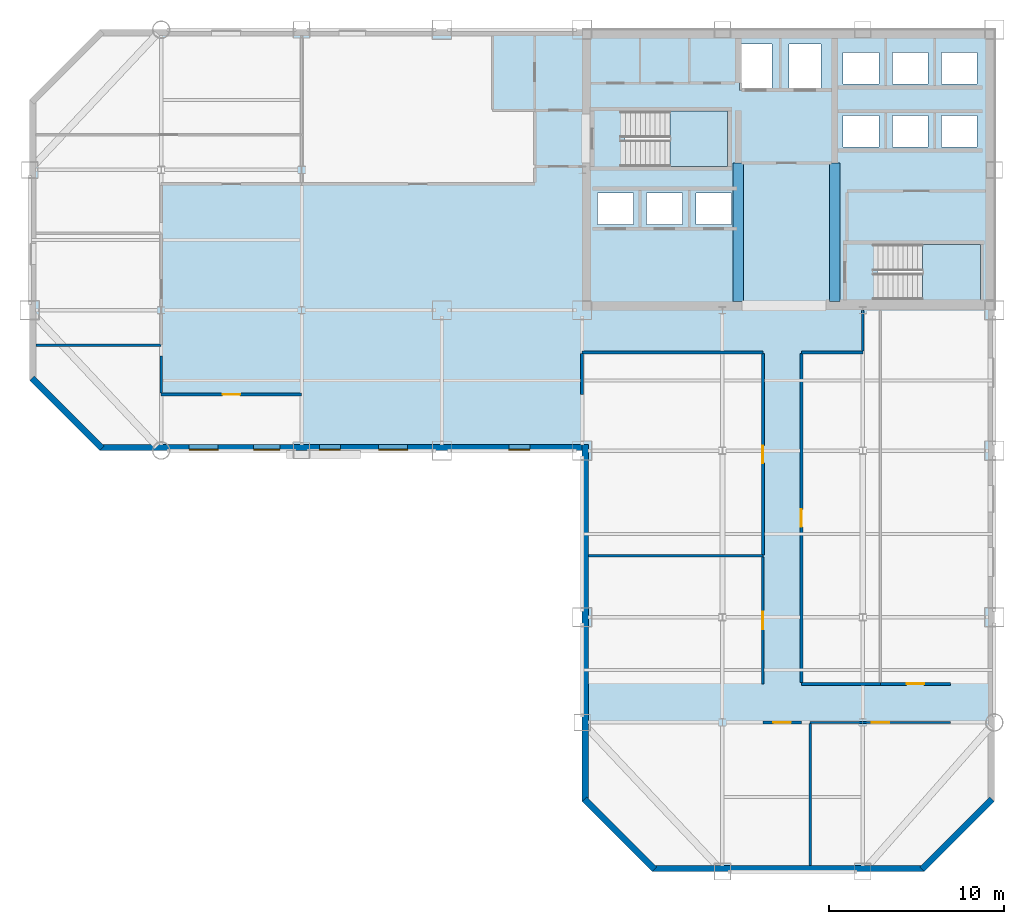
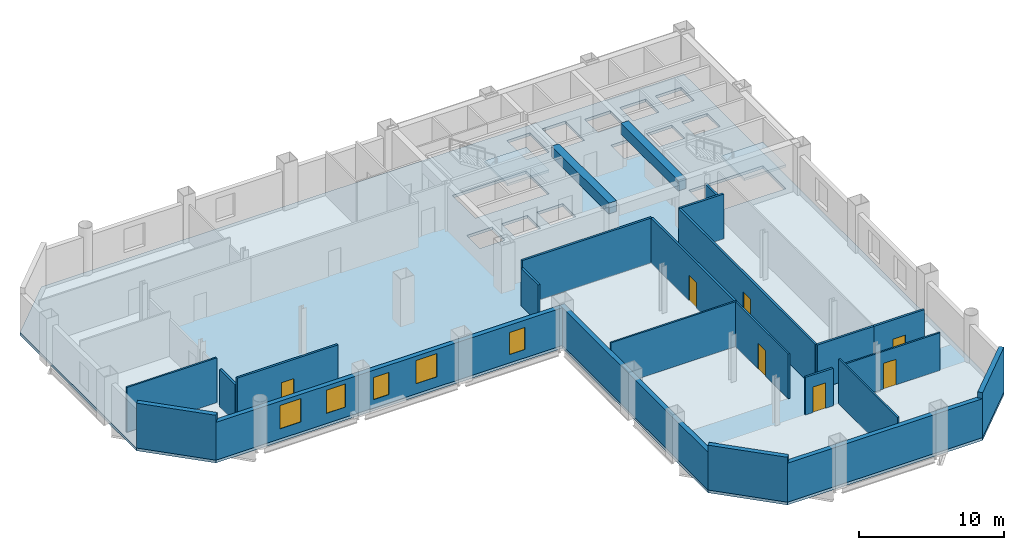
# One storey, part 5 of 9: 22 walls, 7 doors, 5 windows, 3 slabs, 2 beams, 12 openings, 2 elements without a shape of their own.
"""IFC4 building model written with IfcOpenShell, lengths in metres."""

from ifc_helpers import new_model, si_unit, direction, frame, frame_2d, origin, origin_2d, place, context, subcontext, project, spatial, polyline, rectangle, outline, extrude, material, layer, layer_set, material_profile, profile_set, type_object, element, fill, aggregate, save


model = new_model("IFC4")

# Units and contexts
model_context = context("Model", 3, precision=1e-05, world=origin(), true_north=direction((0.0, 1.0)))
body_context = subcontext(model_context, "Body", "Model", "MODEL_VIEW")
ifc_project = project(units=[si_unit("LENGTHUNIT", "METRE"), si_unit("AREAUNIT", "SQUARE_METRE"), si_unit("VOLUMEUNIT", "CUBIC_METRE"), si_unit("PLANEANGLEUNIT", "RADIAN"), si_unit("MASSUNIT", "GRAM", prefix="KILO")], contexts=[model_context])

# Site, building, storey
site_placement = place(None, origin())
site = spatial("IfcSite", under=ifc_project, at=site_placement, CompositionType="ELEMENT")
building_placement = place(site_placement, origin())
building = spatial("IfcBuilding", under=site, at=building_placement, Name="Qianrong Seaharbour Tower", CompositionType="ELEMENT")
storey_placement = place(building_placement, frame((0.0, 0.0, 155.0)))
storey = spatial("IfcBuildingStorey", under=building, at=storey_placement, Name="L37", CompositionType="ELEMENT", Elevation=155.0)

# Beams
ifc_material_1 = material(Name="Concrete C70/85", Category="concrete")
ifc_material_profile = material_profile(ifc_material_1, rectangle(XDim=0.60009765625, YDim=0.89990234375, at=origin_2d()), Name="RC600x900")
ifc_profile_set = profile_set([ifc_material_profile], Name="Concrete C70/85")
beam_type = type_object("IfcBeamType", Name="BM-LINTEL-900", PredefinedType="LINTEL", material=ifc_profile_set)
for number, where, z_axis, x_axis, name in (
    (1, (49.39990234375, 36.5, 3.31494140625), (0.0, 1.0, 0.0), (-1.0, 0.0, 0.0), "L37 Internal Core Coupling Beam IW1"),
    (2, (54.89990234375, 36.5, 3.31494140625), (0.0, 1.0, 0.0), (-1.0, 0.0, 0.0), "L37 Internal Core Coupling Beam IW2"),
):
    element("IfcBeam", number, at=place(storey_placement, frame(where, z_axis=z_axis, x_axis=x_axis)), inside=storey, type_object=beam_type, Name=name, PredefinedType="LINTEL", context=body_context, shape_type="SweptSolid", body=[
        extrude(rectangle(XDim=0.60009765625, YDim=0.89990234375, at=origin_2d()), origin(), (0.0, 0.0, 1.0), 7.89990234375),
    ])

# Stair, slab
ifc_material_2 = material(Name="Concrete C50/60", Category="concrete")
stair_type = type_object("IfcStairType", Name="STAIR-DOGLEG-1500-R22", PredefinedType="HALF_TURN_STAIR", material=ifc_material_2)
stair_1_placement = place(storey_placement, origin())
stair_1 = element("IfcStair", 3, at=stair_1_placement, inside=storey, type_object=stair_type, Name="L37 Protected Escape Stair ST-1", PredefinedType="HALF_TURN_STAIR")
ifc_layer_1 = layer(ifc_material_2, 0.199951171875)
ifc_layer_set_1 = layer_set([ifc_layer_1], Name="Concrete C50/60")
slab_type_1 = type_object("IfcSlabType", Name="SLAB-STAIR-LANDING-200", PredefinedType="LANDING", material=ifc_layer_set_1)
slab_1_placement = place(storey_placement, frame((0.0, 0.0, 1.800048828125)))
slab_1 = element("IfcSlab", 4, at=slab_1_placement, type_object=slab_type_1, Name="ST-1 landing 1", PredefinedType="LANDING", context=body_context, shape_type="SweptSolid", body=[
    extrude(outline(polyline([(45.5, 44.199951171875), (48.800048828125, 44.199951171875), (48.800048828125, 47.35009765625), (45.5, 47.35009765625), (45.5, 44.199951171875)])), origin(), (0.0, 0.0, 1.0), 0.199951171875),
])
aggregate(stair_1, [slab_1])

stair_2_placement = place(storey_placement, origin())
stair_2 = element("IfcStair", 5, at=stair_2_placement, inside=storey, type_object=stair_type, Name="L37 Protected Escape Stair ST-2", PredefinedType="HALF_TURN_STAIR")
slab_2_placement = place(storey_placement, frame((0.0, 0.0, 1.800048828125)))
slab_2 = element("IfcSlab", 6, at=slab_2_placement, type_object=slab_type_1, Name="ST-2 landing 1", PredefinedType="LANDING", context=body_context, shape_type="SweptSolid", body=[
    extrude(outline(polyline([(59.89990234375, 36.60009765625), (63.199951171875, 36.60009765625), (63.199951171875, 39.75), (59.89990234375, 39.75), (59.89990234375, 36.60009765625)])), origin(), (0.0, 0.0, 1.0), 0.199951171875),
])
aggregate(stair_2, [slab_2])

# Slab
ifc_layer_2 = layer(ifc_material_2, 0.235107421875)
ifc_layer_set_2 = layer_set([ifc_layer_2], Name="Concrete C50/60")
slab_type_2 = type_object("IfcSlabType", Name="SLAB-Z2-235", PredefinedType="FLOOR", material=ifc_layer_set_2)
slab_3_placement = place(storey_placement, frame((0.0, 0.0, -0.235107421875)))
element("IfcSlab", 7, at=slab_3_placement, inside=storey, type_object=slab_type_2, Name="L37 Structural Floor Slab", PredefinedType="FLOOR", context=body_context, shape_type="SweptSolid", body=[
    extrude(outline(polyline([(44.5, 4.0), (60.0, 4.0), (64.0, 8.0), (64.0, 52.0), (13.0, 52.0), (9.0, 48.0), (9.0, 32.0), (13.0, 28.0), (40.5, 28.0), (40.5, 8.0), (44.5, 4.0)]), holes=[polyline([(42.93994140625, 44.199951171875), (42.93994140625, 47.35009765625), (48.800048828125, 47.35009765625), (48.800048828125, 44.199951171875), (42.93994140625, 44.199951171875)]), polyline([(57.340087890625, 36.60009765625), (57.340087890625, 39.75), (63.199951171875, 39.75), (63.199951171875, 36.60009765625), (57.340087890625, 36.60009765625)]), polyline([(49.47998046875, 48.530029296875), (49.47998046875, 51.169921875), (51.320068359375, 51.169921875), (51.320068359375, 48.530029296875), (49.47998046875, 48.530029296875)]), polyline([(52.280029296875, 48.530029296875), (52.280029296875, 51.169921875), (54.1201171875, 51.169921875), (54.1201171875, 48.530029296875), (52.280029296875, 48.530029296875)]), polyline([(41.3798828125, 40.89990234375), (41.3798828125, 42.699951171875), (43.419921875, 42.699951171875), (43.419921875, 40.89990234375), (41.3798828125, 40.89990234375)]), polyline([(44.179931640625, 40.89990234375), (44.179931640625, 42.699951171875), (46.219970703125, 42.699951171875), (46.219970703125, 40.89990234375), (44.179931640625, 40.89990234375)]), polyline([(46.97998046875, 40.89990234375), (46.97998046875, 42.699951171875), (49.02001953125, 42.699951171875), (49.02001953125, 40.89990234375), (46.97998046875, 40.89990234375)]), polyline([(55.3798828125, 45.300048828125), (55.3798828125, 47.10009765625), (57.419921875, 47.10009765625), (57.419921875, 45.300048828125), (55.3798828125, 45.300048828125)]), polyline([(58.179931640625, 45.300048828125), (58.179931640625, 47.10009765625), (60.219970703125, 47.10009765625), (60.219970703125, 45.300048828125), (58.179931640625, 45.300048828125)]), polyline([(60.97998046875, 45.300048828125), (60.97998046875, 47.10009765625), (63.02001953125, 47.10009765625), (63.02001953125, 45.300048828125), (60.97998046875, 45.300048828125)]), polyline([(55.3798828125, 48.89990234375), (55.3798828125, 50.699951171875), (57.419921875, 50.699951171875), (57.419921875, 48.89990234375), (55.3798828125, 48.89990234375)]), polyline([(58.179931640625, 48.89990234375), (58.179931640625, 50.699951171875), (60.219970703125, 50.699951171875), (60.219970703125, 48.89990234375), (58.179931640625, 48.89990234375)]), polyline([(60.97998046875, 48.89990234375), (60.97998046875, 50.699951171875), (63.02001953125, 50.699951171875), (63.02001953125, 48.89990234375), (60.97998046875, 48.89990234375)])]), origin(), (0.0, 0.0, 1.0), 0.235107421875),
])

# Wall, opening, door
ifc_material_3 = material(Name="Fire-rated acoustic gypsum board partition")
ifc_layer_3 = layer(ifc_material_3, 0.1650390625)
ifc_layer_set_3 = layer_set([ifc_layer_3], Name="Fire-rated acoustic gypsum board partition")
wall_type_1 = type_object("IfcWallType", Name="WALL-CORR-PART-165", PredefinedType="PARTITIONING", material=ifc_layer_set_3)
wall_1_placement = place(storey_placement, frame((24.5, 31.199951171875, 0.0), z_axis=(0.0, 0.0, 1.0), x_axis=(-1.0, 0.0, 0.0)))
wall_1 = element("IfcWall", 8, at=wall_1_placement, inside=storey, type_object=wall_type_1, Name="L37 Interior Partition Wall 015", PredefinedType="PARTITIONING", context=body_context, shape_type="SweptSolid", body=[
    extrude(rectangle(XDim=8.0, YDim=0.1650390625, at=frame_2d((4.0, 0.0))), origin(), (0.0, 0.0, 1.0), 3.764892578125),
])
opening_1_placement = place(wall_1_placement, frame((3.5, 0.0, 0.0)))
opening_1 = element("IfcOpeningElement", 9, at=opening_1_placement, cuts=wall_1, Name="Opening DO-01", PredefinedType="OPENING", context=body_context, shape_type="SweptSolid", body=[
    extrude(rectangle(XDim=1.0, YDim=2.14990234375, at=frame_2d((0.5, 1.074951171875))), frame((0.0, 0.092529296875, 0.0), z_axis=(0.0, -1.0, 0.0), x_axis=(1.0, 0.0, 0.0)), (0.0, 0.0, 1.0), 0.18505859375),
])
ifc_material_4 = material(Name="Acoustic timber and galvanized steel fire door assembly", Category="steel")
door_type = type_object("IfcDoorType", Name="DOOR-OFFICE-1000x2150", OperationType="NOTDEFINED", PredefinedType="DOOR", material=ifc_material_4)
door_1_placement = place(opening_1_placement, origin())
door_1 = element("IfcDoor", 10, at=door_1_placement, inside=storey, type_object=door_type, Name="L37 Harbour Sunset Lounge 1 Door", OperationType="SINGLE_SWING_LEFT", OverallHeight=2.14990234375, OverallWidth=1.0, PredefinedType="DOOR", context=body_context, shape_type="SweptSolid", body=[
    extrude(rectangle(XDim=1.0, YDim=2.14990234375, at=frame_2d((0.5, 1.074951171875))), frame((0.0, 0.02490234375, 0.0), z_axis=(0.0, -1.0, 0.0), x_axis=(1.0, 0.0, 0.0)), (0.0, 0.0, 1.0), 0.050048828125),
])
fill(opening_1, door_1)

# Walls
wall_2_placement = place(storey_placement, frame((16.5, 31.2744140625, 0.0), z_axis=(0.0, 0.0, 1.0), x_axis=(0.0, 1.0, 0.0)))
element("IfcWall", 11, at=wall_2_placement, inside=storey, type_object=wall_type_1, Name="L37 Interior Partition Wall 016", PredefinedType="PARTITIONING", context=body_context, shape_type="SweptSolid", body=[
    extrude(rectangle(XDim=2.12548828125, YDim=0.1650390625, at=frame_2d((1.062744140625, 0.0))), origin(), (0.0, 0.0, 1.0), 3.156982421875),
])
for number, where, z_axis, x_axis, name in (
    (12, (40.5, 33.525390625, 0.0), (0.0, 0.0, 1.0), (0.0, -1.0, 0.0), "L37 Interior Partition Wall 022"),
    (13, (56.5, 36.0, 0.0), (0.0, 0.0, 1.0), (0.0, -1.0, 0.0), "L37 Interior Partition Wall 023"),
):
    element("IfcWall", number, at=place(storey_placement, frame(where, z_axis=z_axis, x_axis=x_axis)), inside=storey, type_object=wall_type_1, Name=name, PredefinedType="PARTITIONING", context=body_context, shape_type="SweptSolid", body=[
        extrude(rectangle(XDim=2.325439453125, YDim=0.1650390625, at=frame_2d((1.16259765625, 0.0))), origin(), (0.0, 0.0, 1.0), 3.156982421875),
    ])
wall_3_placement = place(storey_placement, frame((56.5, 33.60009765625, 0.0), z_axis=(0.0, 0.0, 1.0), x_axis=(-1.0, 0.0, 0.0)))
element("IfcWall", 14, at=wall_3_placement, inside=storey, type_object=wall_type_1, Name="L37 Interior Partition Wall 024", PredefinedType="PARTITIONING", context=body_context, shape_type="SweptSolid", body=[
    extrude(rectangle(XDim=3.5, YDim=0.1650390625, at=frame_2d((1.75, 0.0))), origin(), (0.0, 0.0, 1.0), 3.764892578125),
])
wall_4_placement = place(storey_placement, frame((50.800048828125, 33.60009765625, 0.0), z_axis=(0.0, 0.0, 1.0), x_axis=(-1.0, 0.0, 0.0)))
element("IfcWall", 15, at=wall_4_placement, inside=storey, type_object=wall_type_1, Name="L37 Interior Partition Wall 025", PredefinedType="PARTITIONING", context=body_context, shape_type="SweptSolid", body=[
    extrude(rectangle(XDim=10.300048828125, YDim=0.1650390625, at=frame_2d((5.14990234375, 0.0))), origin(), (0.0, 0.0, 1.0), 3.764892578125),
])

# Wall, opening, door
wall_5_placement = place(storey_placement, frame((53.0, 33.525390625, 0.0), z_axis=(0.0, 0.0, 1.0), x_axis=(0.0, -1.0, 0.0)))
wall_5 = element("IfcWall", 16, at=wall_5_placement, inside=storey, type_object=wall_type_1, Name="L37 Interior Partition Wall 026", PredefinedType="PARTITIONING", context=body_context, shape_type="SweptSolid", body=[
    extrude(rectangle(XDim=18.7509765625, YDim=0.1650390625, at=frame_2d((9.37548828125, 0.0))), origin(), (0.0, 0.0, 1.0), 3.764892578125),
])
opening_2_placement = place(wall_5_placement, frame((8.87548828125, 0.0, 0.0)))
opening_2 = element("IfcOpeningElement", 17, at=opening_2_placement, cuts=wall_5, Name="Opening DO-01", PredefinedType="OPENING", context=body_context, shape_type="SweptSolid", body=[
    extrude(rectangle(XDim=1.0, YDim=2.14990234375, at=frame_2d((0.5, 1.074951171875))), frame((0.0, 0.092529296875, 0.0), z_axis=(0.0, -1.0, 0.0), x_axis=(1.0, 0.0, 0.0)), (0.0, 0.0, 1.0), 0.18505859375),
])
door_2_placement = place(opening_2_placement, origin())
door_2 = element("IfcDoor", 18, at=door_2_placement, inside=storey, type_object=door_type, Name="L37 East Harbour Dining Salon 1 Door", OperationType="SINGLE_SWING_LEFT", OverallHeight=2.14990234375, OverallWidth=1.0, PredefinedType="DOOR", context=body_context, shape_type="SweptSolid", body=[
    extrude(rectangle(XDim=1.0, YDim=2.14990234375, at=frame_2d((0.5, 1.074951171875))), frame((0.0, 0.02490234375, 0.0), z_axis=(0.0, -1.0, 0.0), x_axis=(1.0, 0.0, 0.0)), (0.0, 0.0, 1.0), 0.050048828125),
])
fill(opening_2, door_2)

wall_6_placement = place(storey_placement, frame((50.800048828125, 22.056884765625, 0.0), z_axis=(0.0, 0.0, 1.0), x_axis=(0.0, 1.0, 0.0)))
wall_6 = element("IfcWall", 19, at=wall_6_placement, inside=storey, type_object=wall_type_1, Name="L37 Interior Partition Wall 028", PredefinedType="PARTITIONING", context=body_context, shape_type="SweptSolid", body=[
    extrude(rectangle(XDim=11.468505859375, YDim=0.1650390625, at=frame_2d((5.734375, 0.0))), origin(), (0.0, 0.0, 1.0), 3.764892578125),
])
opening_3_placement = place(wall_6_placement, frame((5.234375, 0.0, 0.0)))
opening_3 = element("IfcOpeningElement", 20, at=opening_3_placement, cuts=wall_6, Name="Opening DO-01", PredefinedType="OPENING", context=body_context, shape_type="SweptSolid", body=[
    extrude(rectangle(XDim=1.0, YDim=2.14990234375, at=frame_2d((0.5, 1.074951171875))), frame((0.0, 0.092529296875, 0.0), z_axis=(0.0, -1.0, 0.0), x_axis=(1.0, 0.0, 0.0)), (0.0, 0.0, 1.0), 0.18505859375),
])
door_3_placement = place(opening_3_placement, origin())
door_3 = element("IfcDoor", 21, at=door_3_placement, inside=storey, type_object=door_type, Name="L37 Concierge Office 2 Door", OperationType="SINGLE_SWING_RIGHT", OverallHeight=2.14990234375, OverallWidth=1.0, PredefinedType="DOOR", context=body_context, shape_type="SweptSolid", body=[
    extrude(rectangle(XDim=1.0, YDim=2.14990234375, at=frame_2d((0.5, 1.074951171875))), frame((0.0, 0.02490234375, 0.0), z_axis=(0.0, -1.0, 0.0), x_axis=(1.0, 0.0, 0.0)), (0.0, 0.0, 1.0), 0.050048828125),
])
fill(opening_3, door_3)

wall_7_placement = place(storey_placement, frame((53.0, 12.5, 0.0), z_axis=(0.0, 0.0, 1.0), x_axis=(-1.0, 0.0, 0.0)))
wall_7 = element("IfcWall", 22, at=wall_7_placement, inside=storey, type_object=wall_type_1, Name="L37 Interior Partition Wall 029", PredefinedType="PARTITIONING", context=body_context, shape_type="SweptSolid", body=[
    extrude(rectangle(XDim=2.199951171875, YDim=0.1650390625, at=frame_2d((1.10009765625, 0.0))), origin(), (0.0, 0.0, 1.0), 3.156982421875),
])
opening_4_placement = place(wall_7_placement, frame((0.60009765625, 0.0, 0.0)))
opening_4 = element("IfcOpeningElement", 23, at=opening_4_placement, cuts=wall_7, Name="Opening DO-01", PredefinedType="OPENING", context=body_context, shape_type="SweptSolid", body=[
    extrude(rectangle(XDim=1.0, YDim=2.14990234375, at=frame_2d((0.5, 1.074951171875))), frame((0.0, 0.092529296875, 0.0), z_axis=(0.0, -1.0, 0.0), x_axis=(1.0, 0.0, 0.0)), (0.0, 0.0, 1.0), 0.18505859375),
])
door_4_placement = place(opening_4_placement, origin())
door_4 = element("IfcDoor", 24, at=door_4_placement, inside=storey, type_object=door_type, Name="L37 South View Lounge 1 Door", OperationType="SINGLE_SWING_LEFT", OverallHeight=2.14990234375, OverallWidth=1.0, PredefinedType="DOOR", context=body_context, shape_type="SweptSolid", body=[
    extrude(rectangle(XDim=1.0, YDim=2.14990234375, at=frame_2d((0.5, 1.074951171875))), frame((0.0, 0.02490234375, 0.0), z_axis=(0.0, -1.0, 0.0), x_axis=(1.0, 0.0, 0.0)), (0.0, 0.0, 1.0), 0.050048828125),
])
fill(opening_4, door_4)

# Wall
wall_8_placement = place(storey_placement, frame((53.0, 14.699951171875, 0.0), z_axis=(0.0, 0.0, 1.0), x_axis=(1.0, 0.0, 0.0)))
element("IfcWall", 25, at=wall_8_placement, inside=storey, type_object=wall_type_1, Name="L37 Interior Partition Wall 030", PredefinedType="PARTITIONING", context=body_context, shape_type="SweptSolid", body=[
    extrude(rectangle(XDim=4.5, YDim=0.1650390625, at=frame_2d((2.25, 0.0))), origin(), (0.0, 0.0, 1.0), 3.764892578125),
])

# Wall, opening, door
wall_9_placement = place(storey_placement, frame((57.5, 14.699951171875, 0.0), z_axis=(0.0, 0.0, 1.0), x_axis=(1.0, 0.0, 0.0)))
wall_9 = element("IfcWall", 26, at=wall_9_placement, inside=storey, type_object=wall_type_1, Name="L37 Interior Partition Wall 031", PredefinedType="PARTITIONING", context=body_context, shape_type="SweptSolid", body=[
    extrude(rectangle(XDim=4.0, YDim=0.1650390625, at=frame_2d((2.0, 0.0))), origin(), (0.0, 0.0, 1.0), 3.764892578125),
])
opening_5_placement = place(wall_9_placement, frame((1.5, 0.0, 0.0)))
opening_5 = element("IfcOpeningElement", 27, at=opening_5_placement, cuts=wall_9, Name="Opening DO-01", PredefinedType="OPENING", context=body_context, shape_type="SweptSolid", body=[
    extrude(rectangle(XDim=1.0, YDim=2.14990234375, at=frame_2d((0.5, 1.074951171875))), frame((0.0, 0.092529296875, 0.0), z_axis=(0.0, -1.0, 0.0), x_axis=(1.0, 0.0, 0.0)), (0.0, 0.0, 1.0), 0.18505859375),
])
door_5_placement = place(opening_5_placement, origin())
door_5 = element("IfcDoor", 28, at=door_5_placement, inside=storey, type_object=door_type, Name="L37 Catering Servery Kitchen 2 Door", OperationType="SINGLE_SWING_RIGHT", OverallHeight=2.14990234375, OverallWidth=1.0, PredefinedType="DOOR", context=body_context, shape_type="SweptSolid", body=[
    extrude(rectangle(XDim=1.0, YDim=2.14990234375, at=frame_2d((0.5, 1.074951171875))), frame((0.0, 0.02490234375, 0.0), z_axis=(0.0, -1.0, 0.0), x_axis=(1.0, 0.0, 0.0)), (0.0, 0.0, 1.0), 0.050048828125),
])
fill(opening_5, door_5)

# Wall
ifc_material_5 = material(Name="Unitised red brick on Precast concrete C45/55", Category="masonry")
ifc_layer_4 = layer(ifc_material_5, 0.360107421875)
ifc_layer_set_4 = layer_set([ifc_layer_4], Name="Unitised red brick on Precast concrete C45/55")
wall_type_2 = type_object("IfcWallType", Name="WALL-EXT-BRICK-RED-360", PredefinedType="SOLIDWALL", material=ifc_layer_set_4)
wall_10_placement = place(storey_placement, frame((40.679931640625, 8.0, 0.0), z_axis=(0.0, 0.0, 1.0), x_axis=(0.0, 1.0, 0.0)))
element("IfcWall", 29, at=wall_10_placement, inside=storey, type_object=wall_type_2, Name="L37 Exterior Masonry Facade Wall REENTRANT_WEST", PredefinedType="SOLIDWALL", context=body_context, shape_type="SweptSolid", body=[
    extrude(rectangle(XDim=20.360107421875, YDim=0.360107421875, at=frame_2d((10.18017578125, 0.0))), origin(), (0.0, 0.0, 1.0), 3.1650390625),
])

# Wall, openings, windows
wall_11_placement = place(storey_placement, frame((40.52001953125, 28.179931640625, 0.0), z_axis=(0.0, 0.0, 1.0), x_axis=(-1.0, 0.0, 0.0)))
wall_11 = element("IfcWall", 30, at=wall_11_placement, inside=storey, type_object=wall_type_2, Name="L37 Exterior Masonry Facade Wall HARBOUR_RIBBON", PredefinedType="SOLIDWALL", context=body_context, shape_type="SweptSolid", body=[
    extrude(rectangle(XDim=27.52001953125, YDim=0.360107421875, at=frame_2d((13.760009765625, 0.0))), origin(), (0.0, 0.0, 1.0), 3.1650390625),
])
opening_6_placement = place(wall_11_placement, frame((3.0, 0.0, 0.699951171875)))
opening_6 = element("IfcOpeningElement", 31, at=opening_6_placement, cuts=wall_11, Name="Opening WN-01", PredefinedType="OPENING", context=body_context, shape_type="SweptSolid", body=[
    extrude(rectangle(XDim=1.199951171875, YDim=1.85009765625, at=frame_2d((0.60009765625, 0.925048828125))), frame((0.0, 0.18994140625, 0.0), z_axis=(0.0, -1.0, 0.0), x_axis=(1.0, 0.0, 0.0)), (0.0, 0.0, 1.0), 0.380126953125),
])
opening_7_placement = place(wall_11_placement, frame((9.97509765625, 0.0, 0.85009765625)))
opening_7 = element("IfcOpeningElement", 32, at=opening_7_placement, cuts=wall_11, Name="Opening WN-04", PredefinedType="OPENING", context=body_context, shape_type="SweptSolid", body=[
    extrude(rectangle(XDim=1.64990234375, YDim=1.949951171875, at=frame_2d((0.824951171875, 0.97509765625))), frame((0.0, 0.18994140625, 0.0), z_axis=(0.0, -1.0, 0.0), x_axis=(1.0, 0.0, 0.0)), (0.0, 0.0, 1.0), 0.380126953125),
])
opening_8_placement = place(wall_11_placement, frame((13.800048828125, 0.0, 0.699951171875)))
opening_8 = element("IfcOpeningElement", 33, at=opening_8_placement, cuts=wall_11, Name="Opening WN-01", PredefinedType="OPENING", context=body_context, shape_type="SweptSolid", body=[
    extrude(rectangle(XDim=1.199951171875, YDim=1.85009765625, at=frame_2d((0.60009765625, 0.925048828125))), frame((0.0, 0.18994140625, 0.0), z_axis=(0.0, -1.0, 0.0), x_axis=(1.0, 0.0, 0.0)), (0.0, 0.0, 1.0), 0.380126953125),
])
opening_9_placement = place(wall_11_placement, frame((17.25, 0.0, 0.85009765625)))
opening_9 = element("IfcOpeningElement", 34, at=opening_9_placement, cuts=wall_11, Name="Opening WN-03", PredefinedType="OPENING", context=body_context, shape_type="SweptSolid", body=[
    extrude(rectangle(XDim=1.5, YDim=1.949951171875, at=frame_2d((0.75, 0.97509765625))), frame((0.0, 0.18994140625, 0.0), z_axis=(0.0, -1.0, 0.0), x_axis=(1.0, 0.0, 0.0)), (0.0, 0.0, 1.0), 0.380126953125),
])
opening_10_placement = place(wall_11_placement, frame((20.77490234375, 0.0, 0.85009765625)))
opening_10 = element("IfcOpeningElement", 35, at=opening_10_placement, cuts=wall_11, Name="Opening WN-04", PredefinedType="OPENING", context=body_context, shape_type="SweptSolid", body=[
    extrude(rectangle(XDim=1.64990234375, YDim=1.949951171875, at=frame_2d((0.824951171875, 0.97509765625))), frame((0.0, 0.18994140625, 0.0), z_axis=(0.0, -1.0, 0.0), x_axis=(1.0, 0.0, 0.0)), (0.0, 0.0, 1.0), 0.380126953125),
])
ifc_material_6 = material(Name="Insulated low-e double glazing in thermally broken aluminium 6063-T6 frame", Category="aluminium")
window_type_1 = type_object("IfcWindowType", Name="WIN-PUNCH-1200x1850", PartitioningType="DOUBLE_PANEL_VERTICAL", PredefinedType="WINDOW", material=ifc_material_6)
window_1_placement = place(opening_6_placement, origin())
window_1 = element("IfcWindow", 36, at=window_1_placement, inside=storey, type_object=window_type_1, Name="L37 Deep-Set Punched Window 01.01", OverallHeight=1.85009765625, OverallWidth=1.199951171875, PartitioningType="DOUBLE_PANEL_VERTICAL", PredefinedType="WINDOW", context=body_context, shape_type="SweptSolid", body=[
    extrude(rectangle(XDim=1.199951171875, YDim=1.85009765625, at=frame_2d((0.60009765625, 0.925048828125))), frame((0.0, 0.150146484375, 0.0), z_axis=(0.0, -1.0, 0.0), x_axis=(1.0, 0.0, 0.0)), (0.0, 0.0, 1.0), 0.06005859375),
])
fill(opening_6, window_1)
window_2_placement = place(opening_8_placement, origin())
window_2 = element("IfcWindow", 37, at=window_2_placement, inside=storey, type_object=window_type_1, Name="L37 Deep-Set Punched Window 01.04", OverallHeight=1.85009765625, OverallWidth=1.199951171875, PartitioningType="DOUBLE_PANEL_VERTICAL", PredefinedType="WINDOW", context=body_context, shape_type="SweptSolid", body=[
    extrude(rectangle(XDim=1.199951171875, YDim=1.85009765625, at=frame_2d((0.60009765625, 0.925048828125))), frame((0.0, 0.150146484375, 0.0), z_axis=(0.0, -1.0, 0.0), x_axis=(1.0, 0.0, 0.0)), (0.0, 0.0, 1.0), 0.06005859375),
])
fill(opening_8, window_2)
window_type_2 = type_object("IfcWindowType", Name="WIN-PUNCH-1500x1950", PartitioningType="DOUBLE_PANEL_VERTICAL", PredefinedType="WINDOW", material=ifc_material_6)
window_3_placement = place(opening_9_placement, origin())
window_3 = element("IfcWindow", 38, at=window_3_placement, inside=storey, type_object=window_type_2, Name="L37 Deep-Set Punched Window 01.05", OverallHeight=1.949951171875, OverallWidth=1.5, PartitioningType="DOUBLE_PANEL_VERTICAL", PredefinedType="WINDOW", context=body_context, shape_type="SweptSolid", body=[
    extrude(rectangle(XDim=1.5, YDim=1.949951171875, at=frame_2d((0.75, 0.97509765625))), frame((0.0, 0.150146484375, 0.0), z_axis=(0.0, -1.0, 0.0), x_axis=(1.0, 0.0, 0.0)), (0.0, 0.0, 1.0), 0.06005859375),
])
fill(opening_9, window_3)
window_type_3 = type_object("IfcWindowType", Name="WIN-PUNCH-1650x1950", PartitioningType="DOUBLE_PANEL_VERTICAL", PredefinedType="WINDOW", material=ifc_material_6)
window_4_placement = place(opening_7_placement, origin())
window_4 = element("IfcWindow", 39, at=window_4_placement, inside=storey, type_object=window_type_3, Name="L37 Deep-Set Punched Window 01.03", OverallHeight=1.949951171875, OverallWidth=1.64990234375, PartitioningType="DOUBLE_PANEL_VERTICAL", PredefinedType="WINDOW", context=body_context, shape_type="SweptSolid", body=[
    extrude(rectangle(XDim=1.64990234375, YDim=1.949951171875, at=frame_2d((0.824951171875, 0.97509765625))), frame((0.0, 0.150146484375, 0.0), z_axis=(0.0, -1.0, 0.0), x_axis=(1.0, 0.0, 0.0)), (0.0, 0.0, 1.0), 0.06005859375),
])
fill(opening_7, window_4)
window_5_placement = place(opening_10_placement, origin())
window_5 = element("IfcWindow", 40, at=window_5_placement, inside=storey, type_object=window_type_3, Name="L37 Deep-Set Punched Window 01.06", OverallHeight=1.949951171875, OverallWidth=1.64990234375, PartitioningType="DOUBLE_PANEL_VERTICAL", PredefinedType="WINDOW", context=body_context, shape_type="SweptSolid", body=[
    extrude(rectangle(XDim=1.64990234375, YDim=1.949951171875, at=frame_2d((0.824951171875, 0.97509765625))), frame((0.0, 0.150146484375, 0.0), z_axis=(0.0, -1.0, 0.0), x_axis=(1.0, 0.0, 0.0)), (0.0, 0.0, 1.0), 0.06005859375),
])
fill(opening_10, window_5)

# Walls
for number, where, z_axis, x_axis, name in (
    (41, (13.127197265625, 28.127197265625, 0.0), (0.0, 0.0, 1.0), (-0.707106781187, 0.707106781187, 0.0), "L37 Exterior Masonry Facade Wall E02"),
    (42, (63.872802734375, 8.127197265625, 0.0), (0.0, 0.0, 1.0), (-0.707106781187, -0.707106781187, 0.0), "L37 Exterior Masonry Facade Wall E07"),
):
    element("IfcWall", number, at=place(storey_placement, frame(where, z_axis=z_axis, x_axis=x_axis)), inside=storey, type_object=wall_type_2, Name=name, PredefinedType="SOLIDWALL", context=body_context, shape_type="SweptSolid", body=[
        extrude(rectangle(XDim=5.65673828125, YDim=0.360107421875, at=frame_2d((2.828369140625, 0.0))), origin(), (0.0, 0.0, 1.0), 3.764892578125),
    ])
wall_12_placement = place(storey_placement, frame((60.0, 4.179931640625, 0.0), z_axis=(0.0, 0.0, 1.0), x_axis=(-1.0, 0.0, 0.0)))
element("IfcWall", 43, at=wall_12_placement, inside=storey, type_object=wall_type_2, Name="L37 Exterior Masonry Facade Wall SOUTH_TIP", PredefinedType="SOLIDWALL", context=body_context, shape_type="SweptSolid", body=[
    extrude(rectangle(XDim=15.5, YDim=0.360107421875, at=frame_2d((7.75, 0.0))), origin(), (0.0, 0.0, 1.0), 3.264892578125),
])
wall_13_placement = place(storey_placement, frame((44.627197265625, 4.127197265625, 0.0), z_axis=(0.0, 0.0, 1.0), x_axis=(-0.707106781187, 0.707106781187, 0.0)))
element("IfcWall", 44, at=wall_13_placement, inside=storey, type_object=wall_type_2, Name="L37 Exterior Masonry Facade Wall E09", PredefinedType="SOLIDWALL", context=body_context, shape_type="SweptSolid", body=[
    extrude(rectangle(XDim=5.65673828125, YDim=0.360107421875, at=frame_2d((2.828369140625, 0.0))), origin(), (0.0, 0.0, 1.0), 3.764892578125),
])

# Wall, opening, door
ifc_material_7 = material(Name="Water-resistant cement board sanitary partition")
ifc_layer_5 = layer(ifc_material_7, 0.1298828125)
ifc_layer_set_5 = layer_set([ifc_layer_5], Name="Water-resistant cement board sanitary partition")
wall_type_3 = type_object("IfcWallType", Name="WALL-WET-PART-130", PredefinedType="PARTITIONING", material=ifc_layer_set_5)
wall_14_placement = place(storey_placement, frame((50.800048828125, 14.699951171875, 0.0), z_axis=(0.0, 0.0, 1.0), x_axis=(0.0, 1.0, 0.0)))
wall_14 = element("IfcWall", 45, at=wall_14_placement, inside=storey, type_object=wall_type_3, Name="L37 Interior Partition Wall 027", PredefinedType="PARTITIONING", context=body_context, shape_type="SweptSolid", body=[
    extrude(rectangle(XDim=7.2431640625, YDim=0.1298828125, at=frame_2d((3.62158203125, 0.0))), origin(), (0.0, 0.0, 1.0), 3.764892578125),
])
opening_11_placement = place(wall_14_placement, frame((3.12158203125, 0.0, 0.0)))
opening_11 = element("IfcOpeningElement", 46, at=opening_11_placement, cuts=wall_14, Name="Opening DO-01", PredefinedType="OPENING", context=body_context, shape_type="SweptSolid", body=[
    extrude(rectangle(XDim=1.0, YDim=2.14990234375, at=frame_2d((0.5, 1.074951171875))), frame((0.0, 0.074951171875, 0.0), z_axis=(0.0, -1.0, 0.0), x_axis=(1.0, 0.0, 0.0)), (0.0, 0.0, 1.0), 0.14990234375),
])
door_6_placement = place(opening_11_placement, origin())
door_6 = element("IfcDoor", 47, at=door_6_placement, inside=storey, type_object=door_type, Name="L37 Wet Pantry 1 Door", OperationType="SINGLE_SWING_LEFT", OverallHeight=2.14990234375, OverallWidth=1.0, PredefinedType="DOOR", context=body_context, shape_type="SweptSolid", body=[
    extrude(rectangle(XDim=1.0, YDim=2.14990234375, at=frame_2d((0.5, 1.074951171875))), frame((0.0, 0.02490234375, 0.0), z_axis=(0.0, -1.0, 0.0), x_axis=(1.0, 0.0, 0.0)), (0.0, 0.0, 1.0), 0.050048828125),
])
fill(opening_11, door_6)

wall_15_placement = place(storey_placement, frame((61.5, 12.5, 0.0), z_axis=(0.0, 0.0, 1.0), x_axis=(-1.0, 0.0, 0.0)))
wall_15 = element("IfcWall", 48, at=wall_15_placement, inside=storey, type_object=wall_type_3, Name="L37 Interior Partition Wall 032", PredefinedType="PARTITIONING", context=body_context, shape_type="SweptSolid", body=[
    extrude(rectangle(XDim=8.0, YDim=0.1298828125, at=frame_2d((4.0, 0.0))), origin(), (0.0, 0.0, 1.0), 3.156982421875),
])
opening_12_placement = place(wall_15_placement, frame((3.5, 0.0, 0.0)))
opening_12 = element("IfcOpeningElement", 49, at=opening_12_placement, cuts=wall_15, Name="Opening DO-01", PredefinedType="OPENING", context=body_context, shape_type="SweptSolid", body=[
    extrude(rectangle(XDim=1.0, YDim=2.14990234375, at=frame_2d((0.5, 1.074951171875))), frame((0.0, 0.074951171875, 0.0), z_axis=(0.0, -1.0, 0.0), x_axis=(1.0, 0.0, 0.0)), (0.0, 0.0, 1.0), 0.14990234375),
])
door_7_placement = place(opening_12_placement, origin())
door_7 = element("IfcDoor", 50, at=door_7_placement, inside=storey, type_object=door_type, Name="L37 Tea Servery Pantry 2 Door", OperationType="SINGLE_SWING_RIGHT", OverallHeight=2.14990234375, OverallWidth=1.0, PredefinedType="DOOR", context=body_context, shape_type="SweptSolid", body=[
    extrude(rectangle(XDim=1.0, YDim=2.14990234375, at=frame_2d((0.5, 1.074951171875))), frame((0.0, 0.02490234375, 0.0), z_axis=(0.0, -1.0, 0.0), x_axis=(1.0, 0.0, 0.0)), (0.0, 0.0, 1.0), 0.050048828125),
])
fill(opening_12, door_7)

# Walls
wall_16_placement = place(storey_placement, frame((9.35205078125, 34.0, 0.0), z_axis=(0.0, 0.0, 1.0), x_axis=(1.0, 0.0, 0.0)))
element("IfcWall", 51, at=wall_16_placement, inside=storey, type_object=wall_type_3, Name="L37 Interior Partition Wall 035", PredefinedType="PARTITIONING", context=body_context, shape_type="SweptSolid", body=[
    extrude(rectangle(XDim=7.14794921875, YDim=0.1298828125, at=frame_2d((3.573974609375, 0.0))), origin(), (0.0, 0.0, 1.0), 3.764892578125),
])
wall_17_placement = place(storey_placement, frame((40.85205078125, 22.0, 0.0), z_axis=(0.0, 0.0, 1.0), x_axis=(1.0, 0.0, 0.0)))
element("IfcWall", 52, at=wall_17_placement, inside=storey, type_object=wall_type_3, Name="L37 Interior Partition Wall 039", PredefinedType="PARTITIONING", context=body_context, shape_type="SweptSolid", body=[
    extrude(rectangle(XDim=9.947998046875, YDim=0.1298828125, at=frame_2d((4.97412109375, 0.0))), origin(), (0.0, 0.0, 1.0), 3.764892578125),
])
wall_18_placement = place(storey_placement, frame((53.5, 12.443115234375, 0.0), z_axis=(0.0, 0.0, 1.0), x_axis=(0.0, -1.0, 0.0)))
element("IfcWall", 53, at=wall_18_placement, inside=storey, type_object=wall_type_3, Name="L37 Interior Partition Wall 040", PredefinedType="PARTITIONING", context=body_context, shape_type="SweptSolid", body=[
    extrude(rectangle(XDim=8.091064453125, YDim=0.1298828125, at=frame_2d((4.04541015625, 0.0))), origin(), (0.0, 0.0, 1.0), 3.764892578125),
])

save(model, "model.ifc")
